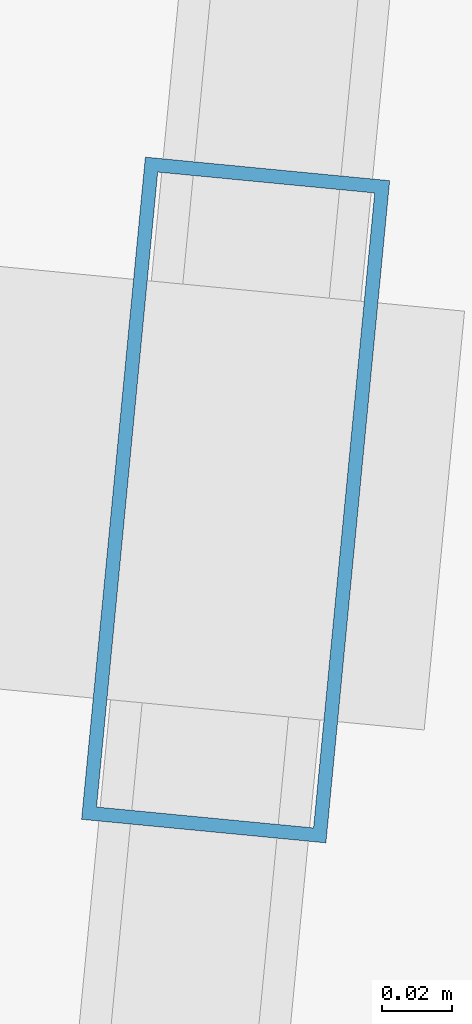
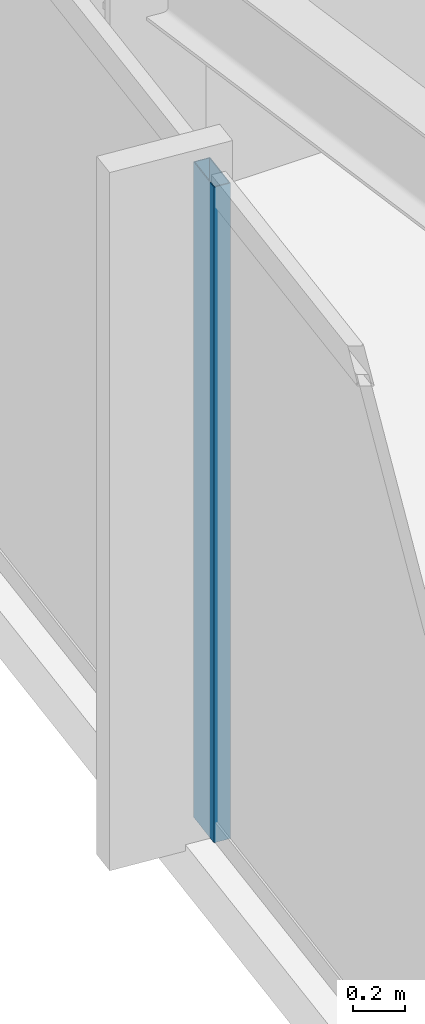
# One storey, part 4 of 38: 1 member, 1 element without a shape of its own.
"""IFC4 building model written with IfcOpenShell, lengths in metres."""

from ifc_helpers import new_model, si_unit, direction, frame, origin, origin_2d, place, context, subcontext, project, spatial, hollow_rectangle, extrude, material, material_profile, profile_set, type_object, element, aggregate, save


model = new_model("IFC4")

# Units and contexts
model_context = context("Model", 3, precision=1e-05, world=origin(), true_north=direction((0.0, 1.0)))
body_context = subcontext(model_context, "Body", "Model", "MODEL_VIEW")
ifc_project = project(units=[si_unit("LENGTHUNIT", "METRE"), si_unit("AREAUNIT", "SQUARE_METRE"), si_unit("VOLUMEUNIT", "CUBIC_METRE"), si_unit("PLANEANGLEUNIT", "RADIAN"), si_unit("MASSUNIT", "GRAM", prefix="KILO")], contexts=[model_context])

# Site, building, storey
site_placement = place(None, origin())
site = spatial("IfcSite", under=ifc_project, at=site_placement, CompositionType="ELEMENT")
building_placement = place(site_placement, origin())
building = spatial("IfcBuilding", under=site, at=building_placement, Name="Yelkora Congress Tower", CompositionType="ELEMENT")
storey_placement = place(building_placement, frame((0.0, 0.0, 172.10009765625)))
storey = spatial("IfcBuildingStorey", under=building, at=storey_placement, Name="L47", CompositionType="ELEMENT", Elevation=172.10009765625)

# Curtain wall, member
ifc_material_1 = material(Name="Anodised aluminium and insulated glass", Category="aluminium")
curtain_wall_type = type_object("IfcCurtainWallType", Name="CW-SYS-B3", PredefinedType="NOTDEFINED", material=ifc_material_1)
curtain_wall_placement = place(storey_placement, origin())
curtain_wall = element("IfcCurtainWall", 1, at=curtain_wall_placement, inside=storey, type_object=curtain_wall_type, Name="L47 Unitised Curtain Wall 5", PredefinedType="NOTDEFINED")
ifc_material_2 = material(Name="Anodised aluminium 6063-T6", Category="aluminium")
ifc_material_profile = material_profile(ifc_material_2, hollow_rectangle(XDim=0.070068359375, YDim=0.18994140625, WallThickness=0.00390625, at=origin_2d()), Name="ALU 70x190x4")
ifc_profile_set = profile_set([ifc_material_profile], Name="Anodised aluminium 6063-T6")
member_type = type_object("IfcMemberType", Name="MEM-ML-B3", PredefinedType="MULLION", material=ifc_profile_set)
member_placement = place(storey_placement, frame((1.9248046875, 22.962158203125, 0.0), z_axis=(0.0, 0.0, 1.0), x_axis=(-0.995396242473, 0.095845294465, 0.0)))
member = element("IfcMember", 2, at=member_placement, type_object=member_type, Name="CW-B3 mullion 2", PredefinedType="MULLION", context=body_context, shape_type="SweptSolid", body=[
    extrude(hollow_rectangle(XDim=0.070068359375, YDim=0.18994140625, WallThickness=0.00390625, at=origin_2d()), origin(), (0.0, 0.0, 1.0), 3.079833984375),
])
aggregate(curtain_wall, [member])

save(model, "model.ifc")
